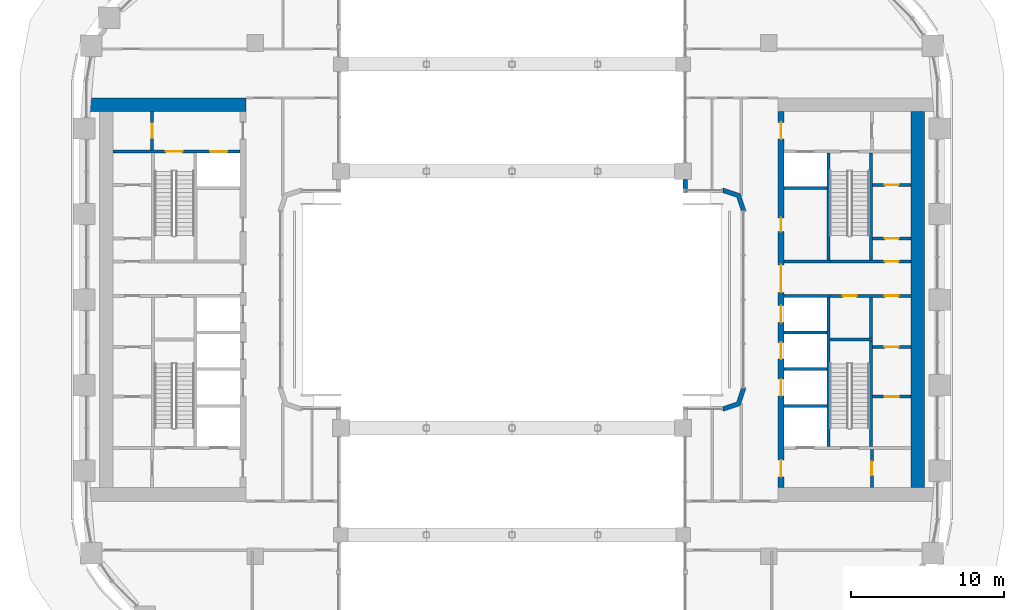
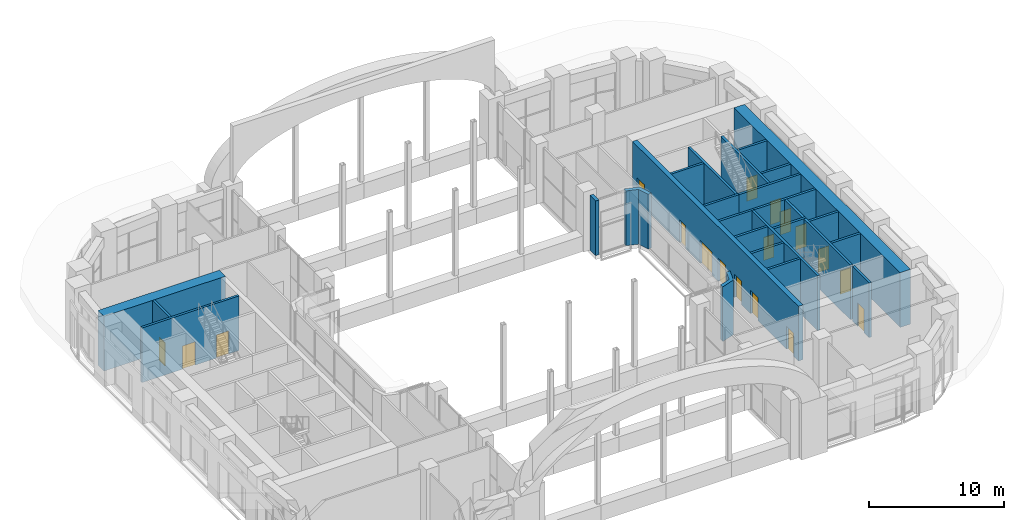
# One storey, part 16 of 27: 27 walls, 18 doors, 18 openings.
"""IFC4 building model written with IfcOpenShell, lengths in metres."""

from ifc_helpers import new_model, si_unit, direction, frame, frame_2d, origin, place, context, subcontext, project, spatial, polyline, rectangle, outline, extrude, material, layer, layer_set, type_object, element, fill, save


model = new_model("IFC4")

# Units and contexts
model_context = context("Model", 3, precision=1e-05, world=origin(), true_north=direction((0.0, 1.0)))
body_context = subcontext(model_context, "Body", "Model", "MODEL_VIEW")
ifc_project = project(units=[si_unit("LENGTHUNIT", "METRE"), si_unit("AREAUNIT", "SQUARE_METRE"), si_unit("VOLUMEUNIT", "CUBIC_METRE"), si_unit("PLANEANGLEUNIT", "RADIAN"), si_unit("MASSUNIT", "GRAM", prefix="KILO")], contexts=[model_context])

# Site, building, storey
site_placement = place(None, origin())
site = spatial("IfcSite", under=ifc_project, at=site_placement, CompositionType="ELEMENT")
building_placement = place(site_placement, origin())
building = spatial("IfcBuilding", under=site, at=building_placement, Name="Kiln Ring Residences", CompositionType="ELEMENT")
storey_placement = place(building_placement, frame((0.0, 0.0, 72.5)))
storey = spatial("IfcBuildingStorey", under=building, at=storey_placement, Name="L18", CompositionType="ELEMENT", Elevation=72.5)

# Wall, opening, door
ifc_material_1 = material(Name="Gypsum board on steel studs", Category="steel")
ifc_layer_1 = layer(ifc_material_1, 0.199951171875)
ifc_layer_set_1 = layer_set([ifc_layer_1], Name="CORE-PARTITION-200")
wall_type_1 = type_object("IfcWallType", Name="CORE-PARTITION-200", PredefinedType="PARTITIONING", material=ifc_layer_set_1)
wall_1_placement = place(storey_placement, frame((-23.550048828125, 9.800048828125, 0.0), z_axis=(0.0, 0.0, 1.0), x_axis=(0.0, 1.0, 0.0)))
wall_1 = element("IfcWall", 1, at=wall_1_placement, inside=storey, type_object=wall_type_1, Name="Core partition west L18 3", PredefinedType="PARTITIONING", context=body_context, shape_type="SweptSolid", body=[
    extrude(rectangle(XDim=2.5, YDim=0.199951171875, at=frame_2d((1.25, 0.0))), origin(), (0.0, 0.0, 1.0), 4.949951171875),
])
opening_1_placement = place(wall_1_placement, frame((0.800048828125, 0.0, 0.0)))
opening_1 = element("IfcOpeningElement", 2, at=opening_1_placement, cuts=wall_1, Name="Opening L18-CW09", PredefinedType="OPENING", context=body_context, shape_type="SweptSolid", body=[
    extrude(rectangle(XDim=0.89990234375, YDim=2.10009765625, at=frame_2d((0.449951171875, 1.050048828125))), frame((0.0, 0.10986328125, 0.0), z_axis=(0.0, -1.0, 0.0), x_axis=(1.0, 0.0, 0.0)), (0.0, 0.0, 1.0), 0.219970703125),
])
ifc_material_2 = material(Name="Steel door leaf", Category="steel")
door_type_1 = type_object("IfcDoorType", Name="CORE-DOOR-ROOM", OperationType="SINGLE_SWING_LEFT", PredefinedType="DOOR", material=ifc_material_2)
door_1_placement = place(opening_1_placement, origin())
door_1 = element("IfcDoor", 3, at=door_1_placement, inside=storey, type_object=door_type_1, Name="Fire riser room L18-CW09", OperationType="SINGLE_SWING_LEFT", OverallHeight=2.10009765625, OverallWidth=0.89990234375, PredefinedType="DOOR", context=body_context, shape_type="SweptSolid", body=[
    extrude(rectangle(XDim=0.89990234375, YDim=2.10009765625, at=frame_2d((0.449951171875, 1.050048828125))), frame((0.0, 0.02490234375, 0.0), z_axis=(0.0, -1.0, 0.0), x_axis=(1.0, 0.0, 0.0)), (0.0, 0.0, 1.0), 0.050048828125),
])
fill(opening_1, door_1)

# Wall
wall_2_placement = place(storey_placement, frame((23.5, -2.5, 0.0), z_axis=(0.0, 0.0, 1.0), x_axis=(0.0, 1.0, 0.0)))
element("IfcWall", 4, at=wall_2_placement, inside=storey, type_object=wall_type_1, Name="Core partition east L18 1", PredefinedType="PARTITIONING", context=body_context, shape_type="SweptSolid", body=[
    extrude(rectangle(XDim=2.64990234375, YDim=0.199951171875, at=frame_2d((1.324951171875, 0.0))), origin(), (0.0, 0.0, 1.0), 4.949951171875),
])

# Wall, openings, doors
wall_3_placement = place(storey_placement, frame((20.800048828125, 0.25, 0.0), z_axis=(0.0, 0.0, 1.0), x_axis=(1.0, 0.0, 0.0)))
wall_3 = element("IfcWall", 5, at=wall_3_placement, inside=storey, type_object=wall_type_1, Name="Core partition east L18 2", PredefinedType="PARTITIONING", context=body_context, shape_type="SweptSolid", body=[
    extrude(rectangle(XDim=5.300048828125, YDim=0.199951171875, at=frame_2d((2.64990234375, 0.0))), origin(), (0.0, 0.0, 1.0), 4.949951171875),
])
opening_2_placement = place(wall_3_placement, frame((0.85009765625, 0.0, 0.0)))
opening_2 = element("IfcOpeningElement", 6, at=opening_2_placement, cuts=wall_3, Name="Opening L18-CE14", PredefinedType="OPENING", context=body_context, shape_type="SweptSolid", body=[
    extrude(rectangle(XDim=0.89990234375, YDim=2.10009765625, at=frame_2d((0.449951171875, 1.050048828125))), frame((0.0, 0.10986328125, 0.0), z_axis=(0.0, -1.0, 0.0), x_axis=(1.0, 0.0, 0.0)), (0.0, 0.0, 1.0), 0.219970703125),
])
opening_3_placement = place(wall_3_placement, frame((3.60009765625, 0.0, 0.0)))
opening_3 = element("IfcOpeningElement", 7, at=opening_3_placement, cuts=wall_3, Name="Opening L18-CE17", PredefinedType="OPENING", context=body_context, shape_type="SweptSolid", body=[
    extrude(rectangle(XDim=0.89990234375, YDim=2.10009765625, at=frame_2d((0.449951171875, 1.050048828125))), frame((0.0, 0.10986328125, 0.0), z_axis=(0.0, -1.0, 0.0), x_axis=(1.0, 0.0, 0.0)), (0.0, 0.0, 1.0), 0.219970703125),
])
door_2_placement = place(opening_2_placement, origin())
door_2 = element("IfcDoor", 8, at=door_2_placement, inside=storey, type_object=door_type_1, Name="Electrical riser room L18-CE14", OperationType="SINGLE_SWING_LEFT", OverallHeight=2.10009765625, OverallWidth=0.89990234375, PredefinedType="DOOR", context=body_context, shape_type="SweptSolid", body=[
    extrude(rectangle(XDim=0.89990234375, YDim=2.10009765625, at=frame_2d((0.449951171875, 1.050048828125))), frame((0.0, 0.02490234375, 0.0), z_axis=(0.0, -1.0, 0.0), x_axis=(1.0, 0.0, 0.0)), (0.0, 0.0, 1.0), 0.050048828125),
])
fill(opening_2, door_2)
door_3_placement = place(opening_3_placement, origin())
door_3 = element("IfcDoor", 9, at=door_3_placement, inside=storey, type_object=door_type_1, Name="Plant room L18-CE17", OperationType="SINGLE_SWING_RIGHT", OverallHeight=2.10009765625, OverallWidth=0.89990234375, PredefinedType="DOOR", context=body_context, shape_type="SweptSolid", body=[
    extrude(rectangle(XDim=0.89990234375, YDim=2.10009765625, at=frame_2d((0.449951171875, 1.050048828125))), frame((0.0, 0.02490234375, 0.0), z_axis=(0.0, -1.0, 0.0), x_axis=(1.0, 0.0, 0.0)), (0.0, 0.0, 1.0), 0.050048828125),
])
fill(opening_3, door_3)

# Wall, opening, door
wall_4_placement = place(storey_placement, frame((23.550048828125, -12.300048828125, 0.0), z_axis=(0.0, 0.0, 1.0), x_axis=(0.0, 1.0, 0.0)))
wall_4 = element("IfcWall", 10, at=wall_4_placement, inside=storey, type_object=wall_type_1, Name="Core partition east L18 4", PredefinedType="PARTITIONING", context=body_context, shape_type="SweptSolid", body=[
    extrude(rectangle(XDim=2.5, YDim=0.199951171875, at=frame_2d((1.25, 0.0))), origin(), (0.0, 0.0, 1.0), 4.949951171875),
])
opening_4_placement = place(wall_4_placement, frame((0.800048828125, 0.0, 0.0)))
opening_4 = element("IfcOpeningElement", 11, at=opening_4_placement, cuts=wall_4, Name="Opening L18-CE10", PredefinedType="OPENING", context=body_context, shape_type="SweptSolid", body=[
    extrude(rectangle(XDim=0.89990234375, YDim=2.10009765625, at=frame_2d((0.449951171875, 1.050048828125))), frame((0.0, 0.10986328125, 0.0), z_axis=(0.0, -1.0, 0.0), x_axis=(1.0, 0.0, 0.0)), (0.0, 0.0, 1.0), 0.219970703125),
])
door_4_placement = place(opening_4_placement, origin())
door_4 = element("IfcDoor", 12, at=door_4_placement, inside=storey, type_object=door_type_1, Name="Store L18-CE10", OperationType="SINGLE_SWING_LEFT", OverallHeight=2.10009765625, OverallWidth=0.89990234375, PredefinedType="DOOR", context=body_context, shape_type="SweptSolid", body=[
    extrude(rectangle(XDim=0.89990234375, YDim=2.10009765625, at=frame_2d((0.449951171875, 1.050048828125))), frame((0.0, 0.02490234375, 0.0), z_axis=(0.0, -1.0, 0.0), x_axis=(1.0, 0.0, 0.0)), (0.0, 0.0, 1.0), 0.050048828125),
])
fill(opening_4, door_4)

wall_5_placement = place(storey_placement, frame((23.60009765625, -6.35009765625, 0.0), z_axis=(0.0, 0.0, 1.0), x_axis=(1.0, 0.0, 0.0)))
wall_5 = element("IfcWall", 13, at=wall_5_placement, inside=storey, type_object=wall_type_1, Name="Core partition east L18 5", PredefinedType="PARTITIONING", context=body_context, shape_type="SweptSolid", body=[
    extrude(rectangle(XDim=2.5, YDim=0.199951171875, at=frame_2d((1.25, 0.0))), origin(), (0.0, 0.0, 1.0), 4.949951171875),
])
opening_5_placement = place(wall_5_placement, frame((0.800048828125, 0.0, 0.0)))
opening_5 = element("IfcOpeningElement", 14, at=opening_5_placement, cuts=wall_5, Name="Opening L18-CE15", PredefinedType="OPENING", context=body_context, shape_type="SweptSolid", body=[
    extrude(rectangle(XDim=0.89990234375, YDim=2.10009765625, at=frame_2d((0.449951171875, 1.050048828125))), frame((0.0, 0.10986328125, 0.0), z_axis=(0.0, -1.0, 0.0), x_axis=(1.0, 0.0, 0.0)), (0.0, 0.0, 1.0), 0.219970703125),
])
door_5_placement = place(opening_5_placement, origin())
door_5 = element("IfcDoor", 15, at=door_5_placement, inside=storey, type_object=door_type_1, Name="Meter room L18-CE15", OperationType="SINGLE_SWING_LEFT", OverallHeight=2.10009765625, OverallWidth=0.89990234375, PredefinedType="DOOR", context=body_context, shape_type="SweptSolid", body=[
    extrude(rectangle(XDim=0.89990234375, YDim=2.10009765625, at=frame_2d((0.449951171875, 1.050048828125))), frame((0.0, 0.02490234375, 0.0), z_axis=(0.0, -1.0, 0.0), x_axis=(1.0, 0.0, 0.0)), (0.0, 0.0, 1.0), 0.050048828125),
])
fill(opening_5, door_5)

wall_6_placement = place(storey_placement, frame((23.60009765625, -3.10009765625, 0.0), z_axis=(0.0, 0.0, 1.0), x_axis=(1.0, 0.0, 0.0)))
wall_6 = element("IfcWall", 16, at=wall_6_placement, inside=storey, type_object=wall_type_1, Name="Core partition east L18 6", PredefinedType="PARTITIONING", context=body_context, shape_type="SweptSolid", body=[
    extrude(rectangle(XDim=2.5, YDim=0.199951171875, at=frame_2d((1.25, 0.0))), origin(), (0.0, 0.0, 1.0), 4.949951171875),
])
opening_6_placement = place(wall_6_placement, frame((0.800048828125, 0.0, 0.0)))
opening_6 = element("IfcOpeningElement", 17, at=opening_6_placement, cuts=wall_6, Name="Opening L18-CE16", PredefinedType="OPENING", context=body_context, shape_type="SweptSolid", body=[
    extrude(rectangle(XDim=0.89990234375, YDim=2.10009765625, at=frame_2d((0.449951171875, 1.050048828125))), frame((0.0, 0.10986328125, 0.0), z_axis=(0.0, -1.0, 0.0), x_axis=(1.0, 0.0, 0.0)), (0.0, 0.0, 1.0), 0.219970703125),
])
door_6_placement = place(opening_6_placement, origin())
door_6 = element("IfcDoor", 18, at=door_6_placement, inside=storey, type_object=door_type_1, Name="Plant room L18-CE16", OperationType="SINGLE_SWING_RIGHT", OverallHeight=2.10009765625, OverallWidth=0.89990234375, PredefinedType="DOOR", context=body_context, shape_type="SweptSolid", body=[
    extrude(rectangle(XDim=0.89990234375, YDim=2.10009765625, at=frame_2d((0.449951171875, 1.050048828125))), frame((0.0, 0.02490234375, 0.0), z_axis=(0.0, -1.0, 0.0), x_axis=(1.0, 0.0, 0.0)), (0.0, 0.0, 1.0), 0.050048828125),
])
fill(opening_6, door_6)

wall_7_placement = place(storey_placement, frame((23.60009765625, 4.0, 0.0), z_axis=(0.0, 0.0, 1.0), x_axis=(1.0, 0.0, 0.0)))
wall_7 = element("IfcWall", 19, at=wall_7_placement, inside=storey, type_object=wall_type_1, Name="Core partition east L18 7", PredefinedType="PARTITIONING", context=body_context, shape_type="SweptSolid", body=[
    extrude(rectangle(XDim=2.5, YDim=0.199951171875, at=frame_2d((1.25, 0.0))), origin(), (0.0, 0.0, 1.0), 4.949951171875),
])
opening_7_placement = place(wall_7_placement, frame((0.800048828125, 0.0, 0.0)))
opening_7 = element("IfcOpeningElement", 20, at=opening_7_placement, cuts=wall_7, Name="Opening L18-CE18", PredefinedType="OPENING", context=body_context, shape_type="SweptSolid", body=[
    extrude(rectangle(XDim=0.89990234375, YDim=2.10009765625, at=frame_2d((0.449951171875, 1.050048828125))), frame((0.0, 0.10986328125, 0.0), z_axis=(0.0, -1.0, 0.0), x_axis=(1.0, 0.0, 0.0)), (0.0, 0.0, 1.0), 0.219970703125),
])
door_7_placement = place(opening_7_placement, origin())
door_7 = element("IfcDoor", 21, at=door_7_placement, inside=storey, type_object=door_type_1, Name="Electrical plant room L18-CE18", OperationType="SINGLE_SWING_RIGHT", OverallHeight=2.10009765625, OverallWidth=0.89990234375, PredefinedType="DOOR", context=body_context, shape_type="SweptSolid", body=[
    extrude(rectangle(XDim=0.89990234375, YDim=2.10009765625, at=frame_2d((0.449951171875, 1.050048828125))), frame((0.0, 0.02490234375, 0.0), z_axis=(0.0, -1.0, 0.0), x_axis=(1.0, 0.0, 0.0)), (0.0, 0.0, 1.0), 0.050048828125),
])
fill(opening_7, door_7)

wall_8_placement = place(storey_placement, frame((23.60009765625, 7.5, 0.0), z_axis=(0.0, 0.0, 1.0), x_axis=(1.0, 0.0, 0.0)))
wall_8 = element("IfcWall", 22, at=wall_8_placement, inside=storey, type_object=wall_type_1, Name="Core partition east L18 8", PredefinedType="PARTITIONING", context=body_context, shape_type="SweptSolid", body=[
    extrude(rectangle(XDim=2.5, YDim=0.199951171875, at=frame_2d((1.25, 0.0))), origin(), (0.0, 0.0, 1.0), 4.949951171875),
])
opening_8_placement = place(wall_8_placement, frame((0.800048828125, 0.0, 0.0)))
opening_8 = element("IfcOpeningElement", 23, at=opening_8_placement, cuts=wall_8, Name="Opening L18-CE19", PredefinedType="OPENING", context=body_context, shape_type="SweptSolid", body=[
    extrude(rectangle(XDim=0.89990234375, YDim=2.10009765625, at=frame_2d((0.449951171875, 1.050048828125))), frame((0.0, 0.10986328125, 0.0), z_axis=(0.0, -1.0, 0.0), x_axis=(1.0, 0.0, 0.0)), (0.0, 0.0, 1.0), 0.219970703125),
])
door_8_placement = place(opening_8_placement, origin())
door_8 = element("IfcDoor", 24, at=door_8_placement, inside=storey, type_object=door_type_1, Name="UPS room L18-CE19", OperationType="SINGLE_SWING_LEFT", OverallHeight=2.10009765625, OverallWidth=0.89990234375, PredefinedType="DOOR", context=body_context, shape_type="SweptSolid", body=[
    extrude(rectangle(XDim=0.89990234375, YDim=2.10009765625, at=frame_2d((0.449951171875, 1.050048828125))), frame((0.0, 0.02490234375, 0.0), z_axis=(0.0, -1.0, 0.0), x_axis=(1.0, 0.0, 0.0)), (0.0, 0.0, 1.0), 0.050048828125),
])
fill(opening_8, door_8)

# Walls
ifc_material_3 = material(Name="Gypsum shaft wall system")
ifc_layer_2 = layer(ifc_material_3, 0.199951171875)
ifc_layer_set_2 = layer_set([ifc_layer_2], Name="CORE-SHAFT-WALL-200")
wall_type_2 = type_object("IfcWallType", Name="CORE-SHAFT-WALL-200", PredefinedType="PARTITIONING", material=ifc_layer_set_2)
for number, where, z_axis, x_axis, name in (
    (25, (17.800048828125, -6.949951171875, 0.0), (0.0, 0.0, 1.0), (1.0, 0.0, 0.0), "Core partition east L18 9"),
    (26, (17.800048828125, -4.550048828125, 0.0), (0.0, 0.0, 1.0), (1.0, 0.0, 0.0), "Core partition east L18 10"),
    (27, (17.800048828125, -2.14990234375, 0.0), (0.0, 0.0, 1.0), (1.0, 0.0, 0.0), "Core partition east L18 11"),
):
    element("IfcWall", number, at=place(storey_placement, frame(where, z_axis=z_axis, x_axis=x_axis)), inside=storey, type_object=wall_type_2, Name=name, PredefinedType="PARTITIONING", context=body_context, shape_type="SweptSolid", body=[
        extrude(rectangle(XDim=2.800048828125, YDim=0.199951171875, at=frame_2d((1.39990234375, 0.0))), origin(), (0.0, 0.0, 1.0), 4.949951171875),
    ])
for number, where, z_axis, x_axis, name in (
    (28, (17.800048828125, 0.25, 0.0), (0.0, 0.0, 1.0), (1.0, 0.0, 0.0), "Core partition east L18 12"),
    (29, (17.800048828125, 2.5, 0.0), (0.0, 0.0, 1.0), (1.0, 0.0, 0.0), "Core partition east L18 13"),
):
    element("IfcWall", number, at=place(storey_placement, frame(where, z_axis=z_axis, x_axis=x_axis)), inside=storey, type_object=wall_type_2, Name=name, PredefinedType="PARTITIONING", context=body_context, shape_type="SweptSolid", body=[
        extrude(rectangle(XDim=3.0, YDim=0.199951171875, at=frame_2d((1.5, 0.0))), origin(), (0.0, 0.0, 1.0), 4.949951171875),
    ])
wall_9_placement = place(storey_placement, frame((17.800048828125, 7.300048828125, 0.0), z_axis=(0.0, 0.0, 1.0), x_axis=(1.0, 0.0, 0.0)))
element("IfcWall", 30, at=wall_9_placement, inside=storey, type_object=wall_type_2, Name="Core partition east L18 14", PredefinedType="PARTITIONING", context=body_context, shape_type="SweptSolid", body=[
    extrude(rectangle(XDim=2.800048828125, YDim=0.199951171875, at=frame_2d((1.39990234375, 0.0))), origin(), (0.0, 0.0, 1.0), 4.949951171875),
])

# Wall, openings, doors
ifc_material_4 = material(Name="Concrete C40/50", Category="concrete")
ifc_layer_3 = layer(ifc_material_4, 0.199951171875)
ifc_layer_set_3 = layer_set([ifc_layer_3], Name="CORE-WALL-RC200")
wall_type_3 = type_object("IfcWallType", Name="CORE-WALL-RC200", PredefinedType="SHEAR", material=ifc_layer_set_3)
wall_10_placement = place(storey_placement, frame((-17.800048828125, 9.699951171875, 0.0), z_axis=(0.0, 0.0, 1.0), x_axis=(-1.0, 0.0, 0.0)))
wall_10 = element("IfcWall", 31, at=wall_10_placement, inside=storey, type_object=wall_type_3, Name="Core wall west L18 9", PredefinedType="SHEAR", context=body_context, shape_type="SweptSolid", body=[
    extrude(rectangle(XDim=8.300048828125, YDim=0.199951171875, at=frame_2d((4.14990234375, 0.0))), origin(), (0.0, 0.0, 1.0), 4.949951171875),
])
opening_9_placement = place(wall_10_placement, frame((0.85009765625, 0.0, 0.0)))
opening_9 = element("IfcOpeningElement", 32, at=opening_9_placement, cuts=wall_10, Name="Opening L18-CW06", PredefinedType="OPENING", context=body_context, shape_type="SweptSolid", body=[
    extrude(rectangle(XDim=1.10009765625, YDim=2.10009765625, at=frame_2d((0.550048828125, 1.050048828125))), frame((0.0, 0.10986328125, 0.0), z_axis=(0.0, -1.0, 0.0), x_axis=(1.0, 0.0, 0.0)), (0.0, 0.0, 1.0), 0.219970703125),
])
opening_10_placement = place(wall_10_placement, frame((3.75, 0.0, 0.0)))
opening_10 = element("IfcOpeningElement", 33, at=opening_10_placement, cuts=wall_10, Name="Opening L18-CW11", PredefinedType="OPENING", context=body_context, shape_type="SweptSolid", body=[
    extrude(rectangle(XDim=1.10009765625, YDim=2.10009765625, at=frame_2d((0.550048828125, 1.050048828125))), frame((0.0, 0.10986328125, 0.0), z_axis=(0.0, -1.0, 0.0), x_axis=(1.0, 0.0, 0.0)), (0.0, 0.0, 1.0), 0.219970703125),
])
ifc_material_5 = material(Name="Steel door leaf", Category="steel")
door_type_2 = type_object("IfcDoorType", Name="CORE-DOOR-LD", OperationType="DOUBLE_DOOR_SLIDING", PredefinedType="DOOR", material=ifc_material_5)
door_9_placement = place(opening_9_placement, origin())
door_9 = element("IfcDoor", 34, at=door_9_placement, inside=storey, type_object=door_type_2, Name="LD W-FF L18-CW06", OperationType="DOUBLE_DOOR_SLIDING", OverallHeight=2.10009765625, OverallWidth=1.10009765625, PredefinedType="DOOR", context=body_context, shape_type="SweptSolid", body=[
    extrude(rectangle(XDim=1.10009765625, YDim=2.10009765625, at=frame_2d((0.550048828125, 1.050048828125))), frame((0.0, 0.02490234375, 0.0), z_axis=(0.0, -1.0, 0.0), x_axis=(1.0, 0.0, 0.0)), (0.0, 0.0, 1.0), 0.050048828125),
])
fill(opening_9, door_9)
ifc_material_6 = material(Name="Steel door leaf", Category="steel")
door_type_3 = type_object("IfcDoorType", Name="CORE-DOOR-STAIR", OperationType="SINGLE_SWING_LEFT", PredefinedType="DOOR", material=ifc_material_6)
door_10_placement = place(opening_10_placement, origin())
door_10 = element("IfcDoor", 35, at=door_10_placement, inside=storey, type_object=door_type_3, Name="Stair W-STN L18-CW11", OperationType="SINGLE_SWING_LEFT", OverallHeight=2.10009765625, OverallWidth=1.10009765625, PredefinedType="DOOR", context=body_context, shape_type="SweptSolid", body=[
    extrude(rectangle(XDim=1.10009765625, YDim=2.10009765625, at=frame_2d((0.550048828125, 1.050048828125))), frame((0.0, 0.02490234375, 0.0), z_axis=(0.0, -1.0, 0.0), x_axis=(1.0, 0.0, 0.0)), (0.0, 0.0, 1.0), 0.050048828125),
])
fill(opening_10, door_10)

# Walls
wall_11_placement = place(storey_placement, frame((20.699951171875, 2.60009765625, 0.0), z_axis=(0.0, 0.0, 1.0), x_axis=(0.0, 1.0, 0.0)))
element("IfcWall", 36, at=wall_11_placement, inside=storey, type_object=wall_type_3, Name="Core wall east L18 1", PredefinedType="SHEAR", context=body_context, shape_type="SweptSolid", body=[
    extrude(rectangle(XDim=7.0, YDim=0.199951171875, at=frame_2d((3.5, 0.0))), origin(), (0.0, 0.0, 1.0), 4.949951171875),
])
wall_12_placement = place(storey_placement, frame((20.699951171875, -9.60009765625, 0.0), z_axis=(0.0, 0.0, 1.0), x_axis=(0.0, 1.0, 0.0)))
element("IfcWall", 37, at=wall_12_placement, inside=storey, type_object=wall_type_3, Name="Core wall east L18 2", PredefinedType="SHEAR", context=body_context, shape_type="SweptSolid", body=[
    extrude(rectangle(XDim=9.75, YDim=0.199951171875, at=frame_2d((4.875, 0.0))), origin(), (0.0, 0.0, 1.0), 4.949951171875),
])

# Wall, opening, door
wall_13_placement = place(storey_placement, frame((20.800048828125, 2.5, 0.0), z_axis=(0.0, 0.0, 1.0), x_axis=(1.0, 0.0, 0.0)))
wall_13 = element("IfcWall", 38, at=wall_13_placement, inside=storey, type_object=wall_type_3, Name="Core wall east L18 3", PredefinedType="SHEAR", context=body_context, shape_type="SweptSolid", body=[
    extrude(rectangle(XDim=5.300048828125, YDim=0.199951171875, at=frame_2d((2.64990234375, 0.0))), origin(), (0.0, 0.0, 1.0), 4.949951171875),
])
opening_11_placement = place(wall_13_placement, frame((3.60009765625, 0.0, 0.0)))
opening_11 = element("IfcOpeningElement", 39, at=opening_11_placement, cuts=wall_13, Name="Opening L18-CE20", PredefinedType="OPENING", context=body_context, shape_type="SweptSolid", body=[
    extrude(rectangle(XDim=0.89990234375, YDim=2.10009765625, at=frame_2d((0.449951171875, 1.050048828125))), frame((0.0, 0.10986328125, 0.0), z_axis=(0.0, -1.0, 0.0), x_axis=(1.0, 0.0, 0.0)), (0.0, 0.0, 1.0), 0.219970703125),
])
door_11_placement = place(opening_11_placement, origin())
door_11 = element("IfcDoor", 40, at=door_11_placement, inside=storey, type_object=door_type_1, Name="Comms room L18-CE20", OperationType="SINGLE_SWING_RIGHT", OverallHeight=2.10009765625, OverallWidth=0.89990234375, PredefinedType="DOOR", context=body_context, shape_type="SweptSolid", body=[
    extrude(rectangle(XDim=0.89990234375, YDim=2.10009765625, at=frame_2d((0.449951171875, 1.050048828125))), frame((0.0, 0.02490234375, 0.0), z_axis=(0.0, -1.0, 0.0), x_axis=(1.0, 0.0, 0.0)), (0.0, 0.0, 1.0), 0.050048828125),
])
fill(opening_11, door_11)

# Walls
wall_14_placement = place(storey_placement, frame((23.5, 2.60009765625, 0.0), z_axis=(0.0, 0.0, 1.0), x_axis=(0.0, 1.0, 0.0)))
element("IfcWall", 41, at=wall_14_placement, inside=storey, type_object=wall_type_3, Name="Core wall east L18 10", PredefinedType="SHEAR", context=body_context, shape_type="SweptSolid", body=[
    extrude(rectangle(XDim=7.0, YDim=0.199951171875, at=frame_2d((3.5, 0.0))), origin(), (0.0, 0.0, 1.0), 4.949951171875),
])
wall_15_placement = place(storey_placement, frame((23.5, -9.60009765625, 0.0), z_axis=(0.0, 0.0, 1.0), x_axis=(0.0, 1.0, 0.0)))
element("IfcWall", 42, at=wall_15_placement, inside=storey, type_object=wall_type_3, Name="Core wall east L18 11", PredefinedType="SHEAR", context=body_context, shape_type="SweptSolid", body=[
    extrude(rectangle(XDim=6.900146484375, YDim=0.199951171875, at=frame_2d((3.4501953125, 0.0))), origin(), (0.0, 0.0, 1.0), 4.949951171875),
])
wall_16_placement = place(storey_placement, frame((20.800048828125, -2.60009765625, 0.0), z_axis=(0.0, 0.0, 1.0), x_axis=(1.0, 0.0, 0.0)))
element("IfcWall", 43, at=wall_16_placement, inside=storey, type_object=wall_type_3, Name="Core wall east L18 12", PredefinedType="SHEAR", context=body_context, shape_type="SweptSolid", body=[
    extrude(rectangle(XDim=2.800048828125, YDim=0.199951171875, at=frame_2d((1.39990234375, 0.0))), origin(), (0.0, 0.0, 1.0), 4.949951171875),
])

# Wall, openings, doors
ifc_material_7 = material(Name="Concrete C60/75", Category="concrete")
ifc_layer_4 = layer(ifc_material_7, 0.39990234375)
ifc_layer_set_4 = layer_set([ifc_layer_4], Name="CORE-WALL-RC400")
wall_type_4 = type_object("IfcWallType", Name="CORE-WALL-RC400", PredefinedType="SHEAR", material=ifc_layer_set_4)
wall_17_placement = place(storey_placement, frame((17.60009765625, -12.300048828125, 0.0), z_axis=(0.0, 0.0, 1.0), x_axis=(0.0, 1.0, 0.0)))
wall_17 = element("IfcWall", 44, at=wall_17_placement, inside=storey, type_object=wall_type_4, Name="Core wall east L18 6", PredefinedType="SHEAR", context=body_context, shape_type="SweptSolid", body=[
    extrude(rectangle(XDim=24.60009765625, YDim=0.39990234375, at=frame_2d((12.300048828125, 0.0))), origin(), (0.0, 0.0, 1.0), 4.949951171875),
])
opening_12_placement = place(wall_17_placement, frame((6.0, 0.0, 0.0)))
opening_12 = element("IfcOpeningElement", 45, at=opening_12_placement, cuts=wall_17, Name="Opening L18-CE02", PredefinedType="OPENING", context=body_context, shape_type="SweptSolid", body=[
    extrude(rectangle(XDim=1.10009765625, YDim=2.10009765625, at=frame_2d((0.550048828125, 1.050048828125))), frame((0.0, 0.2099609375, 0.0), z_axis=(0.0, -1.0, 0.0), x_axis=(1.0, 0.0, 0.0)), (0.0, 0.0, 1.0), 0.419921875),
])
opening_13_placement = place(wall_17_placement, frame((8.39990234375, 0.0, 0.0)))
opening_13 = element("IfcOpeningElement", 46, at=opening_13_placement, cuts=wall_17, Name="Opening L18-CE03", PredefinedType="OPENING", context=body_context, shape_type="SweptSolid", body=[
    extrude(rectangle(XDim=1.10009765625, YDim=2.10009765625, at=frame_2d((0.550048828125, 1.050048828125))), frame((0.0, 0.2099609375, 0.0), z_axis=(0.0, -1.0, 0.0), x_axis=(1.0, 0.0, 0.0)), (0.0, 0.0, 1.0), 0.419921875),
])
opening_14_placement = place(wall_17_placement, frame((10.800048828125, 0.0, 0.0)))
opening_14 = element("IfcOpeningElement", 47, at=opening_14_placement, cuts=wall_17, Name="Opening L18-CE04", PredefinedType="OPENING", context=body_context, shape_type="SweptSolid", body=[
    extrude(rectangle(XDim=1.10009765625, YDim=2.10009765625, at=frame_2d((0.550048828125, 1.050048828125))), frame((0.0, 0.2099609375, 0.0), z_axis=(0.0, -1.0, 0.0), x_axis=(1.0, 0.0, 0.0)), (0.0, 0.0, 1.0), 0.419921875),
])
opening_15_placement = place(wall_17_placement, frame((16.75, 0.0, 0.0)))
opening_15 = element("IfcOpeningElement", 48, at=opening_15_placement, cuts=wall_17, Name="Opening L18-CE05", PredefinedType="OPENING", context=body_context, shape_type="SweptSolid", body=[
    extrude(rectangle(XDim=0.89990234375, YDim=2.10009765625, at=frame_2d((0.449951171875, 1.050048828125))), frame((0.0, 0.2099609375, 0.0), z_axis=(0.0, -1.0, 0.0), x_axis=(1.0, 0.0, 0.0)), (0.0, 0.0, 1.0), 0.419921875),
])
opening_16_placement = place(wall_17_placement, frame((22.800048828125, 0.0, 0.0)))
opening_16 = element("IfcOpeningElement", 49, at=opening_16_placement, cuts=wall_17, Name="Opening L18-CE07", PredefinedType="OPENING", context=body_context, shape_type="SweptSolid", body=[
    extrude(rectangle(XDim=1.10009765625, YDim=2.10009765625, at=frame_2d((0.550048828125, 1.050048828125))), frame((0.0, 0.2099609375, 0.0), z_axis=(0.0, -1.0, 0.0), x_axis=(1.0, 0.0, 0.0)), (0.0, 0.0, 1.0), 0.419921875),
])
opening_17_placement = place(wall_17_placement, frame((0.699951171875, 0.0, 0.0)))
opening_17 = element("IfcOpeningElement", 50, at=opening_17_placement, cuts=wall_17, Name="Opening L18-CE08", PredefinedType="OPENING", context=body_context, shape_type="SweptSolid", body=[
    extrude(rectangle(XDim=1.10009765625, YDim=2.10009765625, at=frame_2d((0.550048828125, 1.050048828125))), frame((0.0, 0.2099609375, 0.0), z_axis=(0.0, -1.0, 0.0), x_axis=(1.0, 0.0, 0.0)), (0.0, 0.0, 1.0), 0.419921875),
])
opening_18_placement = place(wall_17_placement, frame((12.77490234375, 0.0, 0.0)))
opening_18 = element("IfcOpeningElement", 51, at=opening_18_placement, cuts=wall_17, Name="Opening L18-CE13", PredefinedType="OPENING", context=body_context, shape_type="SweptSolid", body=[
    extrude(rectangle(XDim=1.800048828125, YDim=2.10009765625, at=frame_2d((0.89990234375, 1.050048828125))), frame((0.0, 0.2099609375, 0.0), z_axis=(0.0, -1.0, 0.0), x_axis=(1.0, 0.0, 0.0)), (0.0, 0.0, 1.0), 0.419921875),
])
door_12_placement = place(opening_12_placement, origin())
door_12 = element("IfcDoor", 52, at=door_12_placement, inside=storey, type_object=door_type_2, Name="LD E-L1 L18-CE02", OperationType="DOUBLE_DOOR_SLIDING", OverallHeight=2.10009765625, OverallWidth=1.10009765625, PredefinedType="DOOR", context=body_context, shape_type="SweptSolid", body=[
    extrude(rectangle(XDim=1.10009765625, YDim=2.10009765625, at=frame_2d((0.550048828125, 1.050048828125))), frame((0.0, 0.02490234375, 0.0), z_axis=(0.0, -1.0, 0.0), x_axis=(1.0, 0.0, 0.0)), (0.0, 0.0, 1.0), 0.050048828125),
])
fill(opening_12, door_12)
door_13_placement = place(opening_13_placement, origin())
door_13 = element("IfcDoor", 53, at=door_13_placement, inside=storey, type_object=door_type_2, Name="LD E-L2 L18-CE03", OperationType="DOUBLE_DOOR_SLIDING", OverallHeight=2.10009765625, OverallWidth=1.10009765625, PredefinedType="DOOR", context=body_context, shape_type="SweptSolid", body=[
    extrude(rectangle(XDim=1.10009765625, YDim=2.10009765625, at=frame_2d((0.550048828125, 1.050048828125))), frame((0.0, 0.02490234375, 0.0), z_axis=(0.0, -1.0, 0.0), x_axis=(1.0, 0.0, 0.0)), (0.0, 0.0, 1.0), 0.050048828125),
])
fill(opening_13, door_13)
door_14_placement = place(opening_14_placement, origin())
door_14 = element("IfcDoor", 54, at=door_14_placement, inside=storey, type_object=door_type_2, Name="LD E-L3 L18-CE04", OperationType="DOUBLE_DOOR_SLIDING", OverallHeight=2.10009765625, OverallWidth=1.10009765625, PredefinedType="DOOR", context=body_context, shape_type="SweptSolid", body=[
    extrude(rectangle(XDim=1.10009765625, YDim=2.10009765625, at=frame_2d((0.550048828125, 1.050048828125))), frame((0.0, 0.02490234375, 0.0), z_axis=(0.0, -1.0, 0.0), x_axis=(1.0, 0.0, 0.0)), (0.0, 0.0, 1.0), 0.050048828125),
])
fill(opening_14, door_14)
ifc_material_8 = material(Name="Steel door leaf", Category="steel")
door_type_4 = type_object("IfcDoorType", Name="CORE-DOOR-LOBBY", OperationType="SINGLE_SWING_LEFT", PredefinedType="DOOR", material=ifc_material_8)
door_15_placement = place(opening_16_placement, origin())
door_15 = element("IfcDoor", 55, at=door_15_placement, inside=storey, type_object=door_type_4, Name="FFL L18-CE07", OperationType="SINGLE_SWING_LEFT", OverallHeight=2.10009765625, OverallWidth=1.10009765625, PredefinedType="DOOR", context=body_context, shape_type="SweptSolid", body=[
    extrude(rectangle(XDim=1.10009765625, YDim=2.10009765625, at=frame_2d((0.550048828125, 1.050048828125))), frame((0.0, 0.02490234375, 0.0), z_axis=(0.0, -1.0, 0.0), x_axis=(1.0, 0.0, 0.0)), (0.0, 0.0, 1.0), 0.050048828125),
])
fill(opening_16, door_15)
door_16_placement = place(opening_17_placement, origin())
door_16 = element("IfcDoor", 56, at=door_16_placement, inside=storey, type_object=door_type_4, Name="SVL L18-CE08", OperationType="SINGLE_SWING_RIGHT", OverallHeight=2.10009765625, OverallWidth=1.10009765625, PredefinedType="DOOR", context=body_context, shape_type="SweptSolid", body=[
    extrude(rectangle(XDim=1.10009765625, YDim=2.10009765625, at=frame_2d((0.550048828125, 1.050048828125))), frame((0.0, 0.02490234375, 0.0), z_axis=(0.0, -1.0, 0.0), x_axis=(1.0, 0.0, 0.0)), (0.0, 0.0, 1.0), 0.050048828125),
])
fill(opening_17, door_16)
ifc_material_9 = material(Name="Steel door leaf", Category="steel")
door_type_5 = type_object("IfcDoorType", Name="CORE-DOOR-PASS", OperationType="DOUBLE_DOOR_SINGLE_SWING", PredefinedType="DOOR", material=ifc_material_9)
door_17_placement = place(opening_18_placement, origin())
door_17 = element("IfcDoor", 57, at=door_17_placement, inside=storey, type_object=door_type_5, Name="Core passage L18-CE13", OperationType="DOUBLE_DOOR_SINGLE_SWING", OverallHeight=2.10009765625, OverallWidth=1.800048828125, PredefinedType="DOOR", context=body_context, shape_type="SweptSolid", body=[
    extrude(rectangle(XDim=1.800048828125, YDim=2.10009765625, at=frame_2d((0.89990234375, 1.050048828125))), frame((0.0, 0.02490234375, 0.0), z_axis=(0.0, -1.0, 0.0), x_axis=(1.0, 0.0, 0.0)), (0.0, 0.0, 1.0), 0.050048828125),
])
fill(opening_18, door_17)
door_18_placement = place(opening_15_placement, origin())
door_18 = element("IfcDoor", 58, at=door_18_placement, inside=storey, type_object=door_type_1, Name="Housekeeping store L18-CE05", OperationType="SINGLE_SWING_RIGHT", OverallHeight=2.10009765625, OverallWidth=0.89990234375, PredefinedType="DOOR", context=body_context, shape_type="SweptSolid", body=[
    extrude(rectangle(XDim=0.89990234375, YDim=2.10009765625, at=frame_2d((0.449951171875, 1.050048828125))), frame((0.0, 0.02490234375, 0.0), z_axis=(0.0, -1.0, 0.0), x_axis=(1.0, 0.0, 0.0)), (0.0, 0.0, 1.0), 0.050048828125),
])
fill(opening_15, door_18)

# Walls
ifc_material_10 = material(Name="Concrete C60/75", Category="concrete")
ifc_layer_5 = layer(ifc_material_10, 0.89990234375)
ifc_layer_set_5 = layer_set([ifc_layer_5], Name="CORE-WALL-RC900")
wall_type_5 = type_object("IfcWallType", Name="CORE-WALL-RC900", PredefinedType="SHEAR", material=ifc_layer_set_5)
wall_18_placement = place(storey_placement, frame((-17.39990234375, 12.75, 0.0), z_axis=(0.0, 0.0, 1.0), x_axis=(-1.0, 0.0, 0.0)))
element("IfcWall", 59, at=wall_18_placement, inside=storey, type_object=wall_type_5, Name="Core wall west L18 4", PredefinedType="SHEAR", context=body_context, shape_type="SweptSolid", body=[
    extrude(rectangle(XDim=10.400146484375, YDim=0.89990234375, at=frame_2d((5.2001953125, 0.0))), origin(), (0.0, 0.0, 1.0), 4.949951171875),
])
wall_19_placement = place(storey_placement, frame((26.550048828125, -12.300048828125, 0.0), z_axis=(0.0, 0.0, 1.0), x_axis=(0.0, 1.0, 0.0)))
element("IfcWall", 60, at=wall_19_placement, inside=storey, type_object=wall_type_5, Name="Core wall east L18 7", PredefinedType="SHEAR", context=body_context, shape_type="SweptSolid", body=[
    extrude(rectangle(XDim=24.60009765625, YDim=0.89990234375, at=frame_2d((12.300048828125, 0.0))), origin(), (0.0, 0.0, 1.0), 4.949951171875),
])
ifc_material_11 = material(Name="Brick masonry, dark clay brick", Category="masonry")
ifc_layer_6 = layer(ifc_material_11, 0.300048828125)
ifc_layer_set_6 = layer_set([ifc_layer_6], Name="EW-300 BRICK WALL")
wall_type_6 = type_object("IfcWallType", Name="EW-300 BRICK WALL", PredefinedType="SOLIDWALL", material=ifc_layer_set_6)
wall_20_placement = place(storey_placement, frame((11.35009765625, 7.85009765625, 0.0), z_axis=(0.0, 0.0, 1.0), x_axis=(0.0, -1.0, 0.0)))
element("IfcWall", 61, at=wall_20_placement, inside=storey, type_object=wall_type_6, Name="Facade wall L18 12", PredefinedType="SOLIDWALL", context=body_context, shape_type="SweptSolid", body=[
    extrude(rectangle(XDim=0.85009765625, YDim=0.300048828125, at=frame_2d((0.425048828125, 0.0))), origin(), (0.0, 0.0, 1.0), 4.949951171875),
])
placement = place(storey_placement, origin())
element("IfcWall", 62, at=placement, inside=storey, type_object=wall_type_6, Name="Corner wall L18 3", PredefinedType="SOLIDWALL", context=body_context, shape_type="SweptSolid", body=[
    extrude(outline(polyline([(13.800048828125, 7.0), (14.699951171875, 6.699951171875), (15.0, 5.800048828125), (15.300048828125, 5.800048828125), (15.300048828125, 5.8486328125), (14.937255859375, 6.937255859375), (13.8486328125, 7.300048828125), (13.800048828125, 7.300048828125), (13.800048828125, 7.0)])), origin(), (0.0, 0.0, 1.0), 4.949951171875),
])
element("IfcWall", 63, at=placement, inside=storey, type_object=wall_type_6, Name="Corner wall L18 4", PredefinedType="SOLIDWALL", context=body_context, shape_type="SweptSolid", body=[
    extrude(outline(polyline([(15.0, -5.800048828125), (14.699951171875, -6.699951171875), (13.800048828125, -7.0), (13.800048828125, -7.300048828125), (13.8486328125, -7.300048828125), (14.937255859375, -6.937255859375), (15.300048828125, -5.8486328125), (15.300048828125, -5.800048828125), (15.0, -5.800048828125)])), origin(), (0.0, 0.0, 1.0), 4.949951171875),
])

save(model, "model.ifc")
